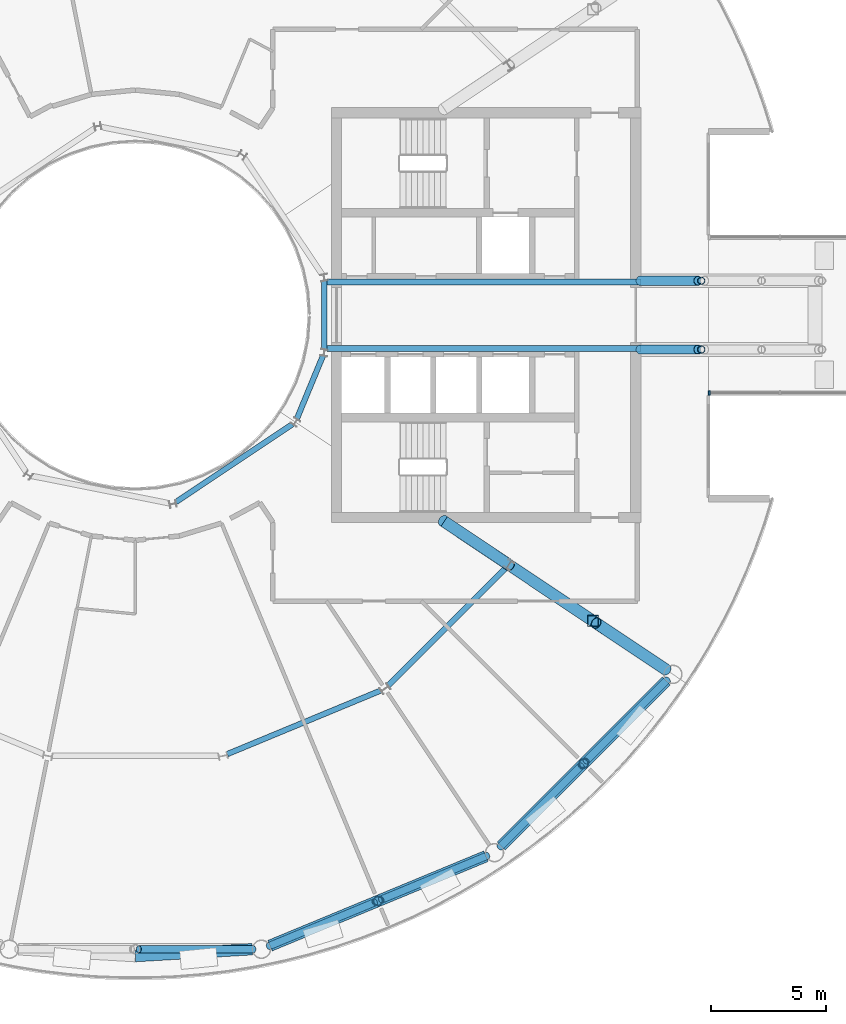
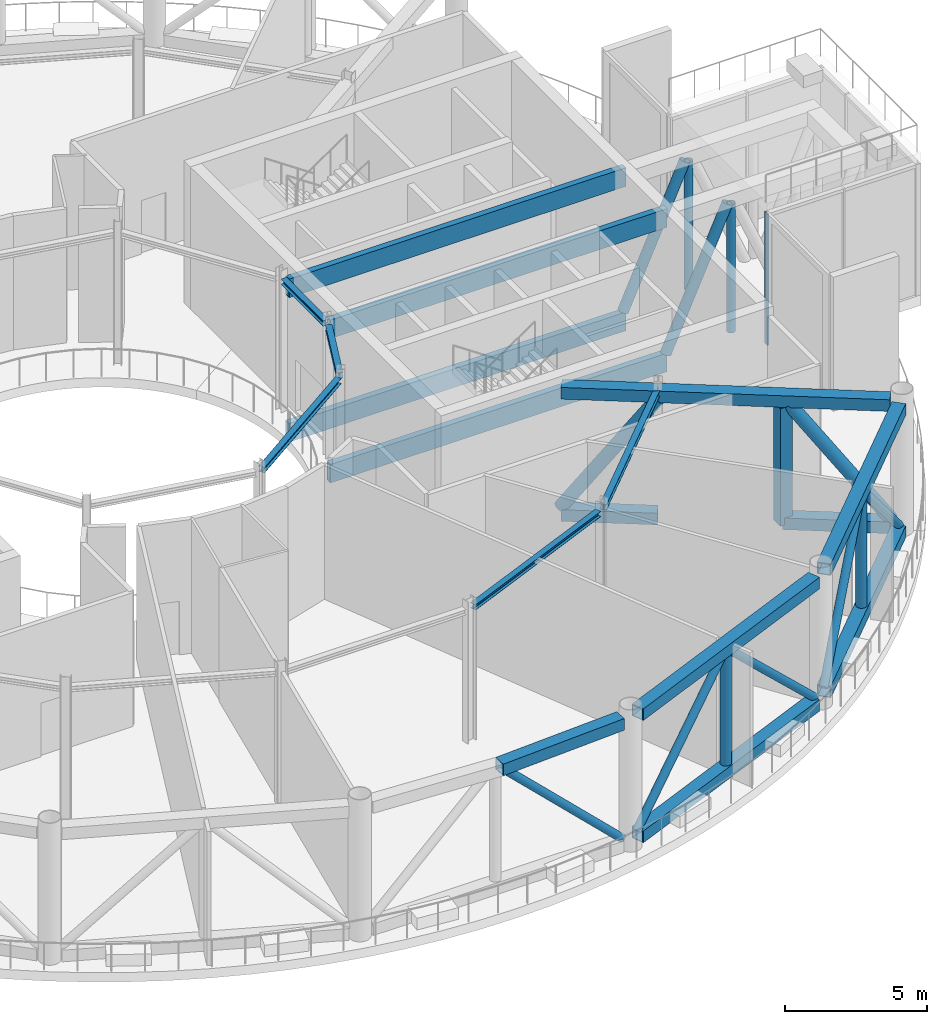
# One storey, part 7 of 24: 18 beams, 15 members, 1 element without a shape of its own.
"""IFC4 building model written with IfcOpenShell, lengths in metres."""

from ifc_helpers import new_model, si_unit, direction, frame, origin, origin_2d, place, context, subcontext, project, spatial, rectangle, hollow_rectangle, hollow_circle, i_section, extrude, material, layer, layer_set, material_profile, profile_set, type_object, element, aggregate, save


model = new_model("IFC4")

# Units and contexts
model_context = context("Model", 3, precision=1e-05, world=origin(), true_north=direction((0.0, 1.0)))
body_context = subcontext(model_context, "Body", "Model", "MODEL_VIEW")
ifc_project = project(units=[si_unit("LENGTHUNIT", "METRE"), si_unit("AREAUNIT", "SQUARE_METRE"), si_unit("VOLUMEUNIT", "CUBIC_METRE"), si_unit("PLANEANGLEUNIT", "RADIAN"), si_unit("MASSUNIT", "GRAM", prefix="KILO")], contexts=[model_context])

# Site, building, storey
site_placement = place(None, origin())
site = spatial("IfcSite", under=ifc_project, at=site_placement, CompositionType="ELEMENT")
building_placement = place(site_placement, origin())
building = spatial("IfcBuilding", under=site, at=building_placement, Name="Maasbend Ring Residences", CompositionType="ELEMENT")
storey_placement = place(building_placement, frame((0.0, 0.0, 221.85009765625)))
storey = spatial("IfcBuildingStorey", under=building, at=storey_placement, Name="L64", CompositionType="ELEMENT", Elevation=221.85009765625)

# Beams
ifc_material_1 = material(Name="Steel S460M", Category="steel")
ifc_material_profile_1 = material_profile(ifc_material_1, hollow_rectangle(XDim=0.5, YDim=0.5, WallThickness=0.030029296875, at=origin_2d()), Name="Belt truss chord BX 500x500x30")
ifc_profile_set_1 = profile_set([ifc_material_profile_1], Name="Steel S460M")
beam_type_1 = type_object("IfcBeamType", Name="Belt truss chord BX 500x500x30", PredefinedType="BEAM", material=ifc_profile_set_1)
beam_1_placement = place(storey_placement, frame((0.0, -27.9580078125, 5.5), z_axis=(0.998273218339, 0.058741650875, 0.0), x_axis=(-0.058741650875, 0.998273218339, 0.0)))
element("IfcBeam", 1, at=beam_1_placement, inside=storey, type_object=beam_type_1, Name="Belt truss", PredefinedType="BEAM", context=body_context, shape_type="SweptSolid", body=[
    extrude(hollow_rectangle(XDim=0.5, YDim=0.5, WallThickness=0.030029296875, at=origin_2d()), origin(), (0.0, 0.0, 1.0), 5.103759765625),
])
for number, where, z_axis, x_axis, name in (
    (2, (5.877197265625, -27.50244140625, 0.25), (0.923883676188, 0.382673428492, 0.0), (-0.382673428492, 0.923883676188, 0.0), "Belt truss"),
    (3, (5.877197265625, -27.50244140625, 5.5), (0.923883676188, 0.382673428492, 0.0), (-0.382673428492, 0.923883676188, 0.0), "Belt truss"),
    (4, (15.95458984375, -23.159912109375, 0.25), (0.707106781187, 0.707106781187, 0.0), (-0.707106781187, 0.707106781187, 0.0), "Belt truss"),
    (5, (15.95458984375, -23.159912109375, 5.5), (0.707106781187, 0.707106781187, 0.0), (-0.707106781187, 0.707106781187, 0.0), "Belt truss"),
):
    element("IfcBeam", number, at=place(storey_placement, frame(where, z_axis=z_axis, x_axis=x_axis)), inside=storey, type_object=beam_type_1, Name=name, PredefinedType="BEAM", context=body_context, shape_type="SweptSolid", body=[
        extrude(hollow_rectangle(XDim=0.5, YDim=0.5, WallThickness=0.030029296875, at=origin_2d()), origin(), (0.0, 0.0, 1.0), 10.18994140625),
    ])

# Members
ifc_material_2 = material(Name="Steel S460NH", Category="steel")
ifc_material_profile_2 = material_profile(ifc_material_2, hollow_circle(Radius=0.161865234375, WallThickness=0.012451171875, at=origin_2d()), Name="Belt truss diagonal CHS 323.9x12.5")
ifc_profile_set_2 = profile_set([ifc_material_profile_2], Name="Steel S460NH")
member_type_1 = type_object("IfcMemberType", Name="Belt truss diagonal CHS 323.9x12.5", PredefinedType="BRACE", material=ifc_profile_set_2)
for number, where, z_axis, x_axis, name in (
    (6, (0.151611328125, -27.658203125, 5.2998046875), (0.7174451099, 0.0, -0.696615040235), (0.0, 1.0, 0.0), "Belt truss diagonal"),
    (7, (5.82958984375, -27.522216796875, 0.449951171875), (0.662822090686, 0.274548126976, 0.696627735647), (-0.38268132365, 0.923880405967, 0.0), "Belt truss diagonal"),
    (8, (10.724609375, -25.49462890625, 5.2998046875), (0.662822090686, 0.274548126976, -0.696627735647), (-0.38268132365, 0.923880405967, 0.0), "Belt truss diagonal"),
    (9, (15.918212890625, -23.1962890625, 0.449951171875), (0.50729843003, 0.50729843003, 0.69663233185), (-0.707106781187, 0.707106781187, 0.0), "Belt truss diagonal"),
    (10, (19.66455078125, -19.449951171875, 5.2998046875), (0.50729843003, 0.50729843003, -0.69663233185), (-0.707106781187, 0.707106781187, 0.0), "Belt truss diagonal"),
):
    element("IfcMember", number, at=place(storey_placement, frame(where, z_axis=z_axis, x_axis=x_axis)), inside=storey, type_object=member_type_1, Name=name, PredefinedType="BRACE", context=body_context, shape_type="SweptSolid", body=[
        extrude(hollow_circle(Radius=0.161865234375, WallThickness=0.012451171875, at=origin_2d()), origin(), (0.0, 0.0, 1.0), 6.9619140625),
    ])
ifc_material_3 = material(Name="Steel S460NH", Category="steel")
ifc_material_profile_3 = material_profile(ifc_material_3, hollow_circle(Radius=0.203125, WallThickness=0.01611328125, at=origin_2d()), Name="Belt truss post CHS 406.4x16")
ifc_profile_set_3 = profile_set([ifc_material_profile_3], Name="Steel S460NH")
member_type_2 = type_object("IfcMemberType", Name="Belt truss post CHS 406.4x16", PredefinedType="POST", material=ifc_profile_set_3)
for number, where, z_axis, x_axis, name in (
    (11, (10.584228515625, -25.552734375, 0.5), (0.0, 0.0, 1.0), (1.0, 0.0, 0.0), "Belt truss post"),
    (12, (19.55712890625, -19.55712890625, 0.5), (0.0, 0.0, 1.0), (1.0, 0.0, 0.0), "Belt truss post"),
):
    element("IfcMember", number, at=place(storey_placement, frame(where, z_axis=z_axis, x_axis=x_axis)), inside=storey, type_object=member_type_2, Name=name, PredefinedType="POST", context=body_context, shape_type="SweptSolid", body=[
        extrude(hollow_circle(Radius=0.203125, WallThickness=0.01611328125, at=origin_2d()), origin(), (0.0, 0.0, 1.0), 4.75),
    ])

# Curtain wall, member
ifc_material_4 = material(Name="Aluminium and clear glass", Category="aluminium")
ifc_layer = layer(ifc_material_4, 0.199951171875)
ifc_layer_set = layer_set([ifc_layer], Name="CW-GR")
curtain_wall_type = type_object("IfcCurtainWallType", Name="CW-GR", PredefinedType="NOTDEFINED", material=ifc_layer_set)
curtain_wall_placement = place(storey_placement, origin())
curtain_wall = element("IfcCurtainWall", 13, at=curtain_wall_placement, inside=storey, type_object=curtain_wall_type, Name="Glass lounge curtain wall south", PredefinedType="NOTDEFINED")
ifc_material_5 = material(Name="Aluminium 6063-T6", Category="aluminium")
ifc_material_profile_4 = material_profile(ifc_material_5, rectangle(XDim=0.199951171875, YDim=0.070068359375, at=origin_2d()), Name="AL 200x70")
ifc_profile_set_4 = profile_set([ifc_material_profile_4], Name="Aluminium 6063-T6")
member_type_3 = type_object("IfcMemberType", Name="CWM-GR", PredefinedType="MULLION", material=ifc_profile_set_4)
member_1_placement = place(storey_placement, frame((25.034912109375, -3.39990234375, 0.0), z_axis=(0.0, 0.0, 1.0), x_axis=(0.0, 1.0, 0.0)))
member_1 = element("IfcMember", 14, at=member_1_placement, type_object=member_type_3, Name="Mullion glass room", PredefinedType="MULLION", context=body_context, shape_type="SweptSolid", body=[
    extrude(rectangle(XDim=0.199951171875, YDim=0.070068359375, at=origin_2d()), origin(), (0.0, 0.0, 1.0), 5.64990234375),
])
aggregate(curtain_wall, [member_1])

# Beams
ifc_material_6 = material(Name="Steel S355J2", Category="steel")
ifc_material_profile_5 = material_profile(ifc_material_6, i_section(OverallWidth=0.239990234375, OverallDepth=0.22998046875, WebThickness=0.007568359375, FlangeThickness=0.011962890625, FilletRadius=0.02099609375, at=origin_2d()), Name="HEA 240")
ifc_profile_set_5 = profile_set([ifc_material_profile_5], Name="Steel S355J2")
beam_type_2 = type_object("IfcBeamType", Name="Corridor ring beam HEA 240", PredefinedType="BEAM", material=ifc_profile_set_5)
beam_2_placement = place(storey_placement, frame((4.01220703125, -19.1455078125, 5.635009765625), z_axis=(0.923865162022, 0.382718123952, 0.0), x_axis=(-0.382718123952, 0.923865162022, 0.0)))
element("IfcBeam", 15, at=beam_2_placement, inside=storey, type_object=beam_type_2, Name="Corridor ring beam", PredefinedType="BEAM", context=body_context, shape_type="SweptSolid", body=[
    extrude(i_section(OverallWidth=0.239990234375, OverallDepth=0.22998046875, WebThickness=0.007568359375, FlangeThickness=0.011962890625, FilletRadius=0.02099609375, at=origin_2d()), origin(), (0.0, 0.0, 1.0), 7.23974609375),
])
beam_3_placement = place(storey_placement, frame((11.033447265625, -16.152587890625, 5.635009765625), z_axis=(0.707106781187, 0.707106781187, 0.0), x_axis=(-0.707106781187, 0.707106781187, 0.0)))
element("IfcBeam", 16, at=beam_3_placement, inside=storey, type_object=beam_type_2, Name="Corridor ring beam", PredefinedType="BEAM", context=body_context, shape_type="SweptSolid", body=[
    extrude(i_section(OverallWidth=0.239990234375, OverallDepth=0.22998046875, WebThickness=0.007568359375, FlangeThickness=0.011962890625, FilletRadius=0.02099609375, at=origin_2d()), origin(), (0.0, 0.0, 1.0), 7.239501953125),
])
ifc_material_7 = material(Name="Steel S460M", Category="steel")
ifc_material_profile_6 = material_profile(ifc_material_7, hollow_rectangle(XDim=0.25, YDim=0.800048828125, WallThickness=0.02490234375, at=origin_2d()), Name="Glass room back-span beam BX 800x250x25")
ifc_profile_set_6 = profile_set([ifc_material_profile_6], Name="Steel S460M")
beam_type_3 = type_object("IfcBeamType", Name="Glass room back-span beam BX 800x250x25", PredefinedType="BEAM", material=ifc_profile_set_6)
for number, where, z_axis, x_axis, name in (
    (17, (22.050048828125, -1.449951171875, -0.85009765625), (-1.0, 0.0, 0.0), (0.0, -1.0, 0.0), "Glass room lower back-span beam E"),
    (18, (22.050048828125, -1.449951171875, 5.349853515625), (-1.0, 0.0, 0.0), (0.0, -1.0, 0.0), "Glass room back-span beam E"),
    (19, (22.050048828125, 1.449951171875, -0.85009765625), (-1.0, 0.0, 0.0), (0.0, -1.0, 0.0), "Glass room lower back-span beam E"),
    (20, (22.050048828125, 1.449951171875, 5.349853515625), (-1.0, 0.0, 0.0), (0.0, -1.0, 0.0), "Glass room back-span beam E"),
):
    element("IfcBeam", number, at=place(storey_placement, frame(where, z_axis=z_axis, x_axis=x_axis)), inside=storey, type_object=beam_type_3, Name=name, PredefinedType="BEAM", context=body_context, shape_type="SweptSolid", body=[
        extrude(hollow_rectangle(XDim=0.25, YDim=0.800048828125, WallThickness=0.02490234375, at=origin_2d()), origin(), (0.0, 0.0, 1.0), 13.680908203125),
    ])

# Members
ifc_material_8 = material(Name="Steel S460NH", Category="steel")
ifc_material_profile_7 = material_profile(ifc_material_8, hollow_circle(Radius=0.203125, WallThickness=0.01611328125, at=origin_2d()), Name="Glass room truss diagonal CHS 406.4x16")
ifc_profile_set_7 = profile_set([ifc_material_profile_7], Name="Steel S460NH")
member_type_4 = type_object("IfcMemberType", Name="Glass room truss diagonal CHS 406.4x16", PredefinedType="BRACE", material=ifc_profile_set_7)
for number, where, z_axis, x_axis, name in (
    (21, (22.027587890625, -1.5, -0.5), (0.409880137983, 0.0, 0.912139393123), (0.0, 1.0, 0.0), "Glass room truss E diagonal"),
    (22, (22.027587890625, 1.5, -0.5), (0.409880137983, 0.0, 0.912139393123), (0.0, 1.0, 0.0), "Glass room truss E diagonal"),
):
    element("IfcMember", number, at=place(storey_placement, frame(where, z_axis=z_axis, x_axis=x_axis)), inside=storey, type_object=member_type_4, Name=name, PredefinedType="BRACE", context=body_context, shape_type="SweptSolid", body=[
        extrude(hollow_circle(Radius=0.203125, WallThickness=0.01611328125, at=origin_2d()), origin(), (0.0, 0.0, 1.0), 6.13916015625),
    ])
ifc_material_9 = material(Name="Steel S460NH", Category="steel")
ifc_material_profile_8 = material_profile(ifc_material_9, hollow_circle(Radius=0.161865234375, WallThickness=0.012451171875, at=origin_2d()), Name="Glass room truss post CHS 323.9x12.5")
ifc_profile_set_8 = profile_set([ifc_material_profile_8], Name="Steel S460NH")
member_type_5 = type_object("IfcMemberType", Name="Glass room truss post CHS 323.9x12.5", PredefinedType="POST", material=ifc_profile_set_8)
for number, where, z_axis, x_axis, name in (
    (23, (24.683349609375, -1.5, -0.4501953125), (0.0, 0.0, 1.0), (1.0, 0.0, 0.0), "Glass room truss E post"),
    (24, (24.683349609375, 1.5, -0.4501953125), (0.0, 0.0, 1.0), (1.0, 0.0, 0.0), "Glass room truss E post"),
):
    element("IfcMember", number, at=place(storey_placement, frame(where, z_axis=z_axis, x_axis=x_axis)), inside=storey, type_object=member_type_5, Name=name, PredefinedType="POST", context=body_context, shape_type="SweptSolid", body=[
        extrude(hollow_circle(Radius=0.161865234375, WallThickness=0.012451171875, at=origin_2d()), origin(), (0.0, 0.0, 1.0), 5.5),
    ])

# Beams
ifc_material_10 = material(Name="Steel S460M", Category="steel")
ifc_material_profile_9 = material_profile(ifc_material_10, hollow_rectangle(XDim=0.5, YDim=0.5, WallThickness=0.030029296875, at=origin_2d()), Name="Outrigger truss chord BX 500x500x30")
ifc_profile_set_9 = profile_set([ifc_material_profile_9], Name="Steel S460M")
beam_type_4 = type_object("IfcBeamType", Name="Outrigger truss chord BX 500x500x30", PredefinedType="BEAM", material=ifc_profile_set_9)
beam_4_placement = place(storey_placement, frame((23.109375, -15.44140625, 0.25), z_axis=(-0.831444556462, 0.555607729904, 0.0), x_axis=(-0.555607729904, -0.831444556462, 0.0)))
element("IfcBeam", 25, at=beam_4_placement, inside=storey, type_object=beam_type_4, Name="Outrigger truss", PredefinedType="BEAM", context=body_context, shape_type="SweptSolid", body=[
    extrude(hollow_rectangle(XDim=0.5, YDim=0.5, WallThickness=0.030029296875, at=origin_2d()), origin(), (0.0, 0.0, 1.0), 3.78564453125),
])
beam_5_placement = place(storey_placement, frame((23.109375, -15.44140625, 5.5), z_axis=(-0.831453297605, 0.555594648914, 0.0), x_axis=(-0.555594648914, -0.831453297605, 0.0)))
element("IfcBeam", 26, at=beam_5_placement, inside=storey, type_object=beam_type_4, Name="Outrigger truss", PredefinedType="BEAM", context=body_context, shape_type="SweptSolid", body=[
    extrude(hollow_rectangle(XDim=0.5, YDim=0.5, WallThickness=0.030029296875, at=origin_2d()), origin(), (0.0, 0.0, 1.0), 8.185546875),
])
for number, where, z_axis, x_axis, name in (
    (27, (16.2900390625, -10.884765625, 0.25), (-0.831451918965, 0.555596712058, 0.0), (-0.555596712058, -0.831451918965, 0.0), "Outrigger truss"),
    (28, (16.2900390625, -10.884765625, 5.5), (-0.831451918965, 0.555596712058, 0.0), (-0.555596712058, -0.831451918965, 0.0), "Outrigger truss"),
):
    element("IfcBeam", number, at=place(storey_placement, frame(where, z_axis=z_axis, x_axis=x_axis)), inside=storey, type_object=beam_type_4, Name=name, PredefinedType="BEAM", context=body_context, shape_type="SweptSolid", body=[
        extrude(hollow_rectangle(XDim=0.5, YDim=0.5, WallThickness=0.030029296875, at=origin_2d()), origin(), (0.0, 0.0, 1.0), 3.392333984375),
    ])

# Members
ifc_material_11 = material(Name="Steel S460NH", Category="steel")
ifc_material_profile_10 = material_profile(ifc_material_11, hollow_circle(Radius=0.25390625, WallThickness=0.02490234375, at=origin_2d()), Name="Outrigger truss diagonal CHS 508x25")
ifc_profile_set_10 = profile_set([ifc_material_profile_10], Name="Steel S460NH")
member_type_6 = type_object("IfcMemberType", Name="Outrigger truss diagonal CHS 508x25", PredefinedType="BRACE", material=ifc_profile_set_10)
member_2_placement = place(storey_placement, frame((23.140869140625, -15.462158203125, 0.449951171875), z_axis=(-0.50066184566, 0.334511402539, 0.798398295259), x_axis=(-0.555547100174, -0.83148506871, 0.0)))
element("IfcMember", 29, at=member_2_placement, inside=storey, type_object=member_type_6, Name="Outrigger truss diagonal", PredefinedType="BRACE", context=body_context, shape_type="SweptSolid", body=[
    extrude(hollow_circle(Radius=0.25390625, WallThickness=0.02490234375, at=origin_2d()), origin(), (0.0, 0.0, 1.0), 6.074462890625),
])
member_3_placement = place(storey_placement, frame((16.31982421875, -10.904541015625, 5.2998046875), z_axis=(-0.483259075881, 0.322882769865, -0.813761256453), x_axis=(-0.555545703654, -0.831486001777, 0.0)))
element("IfcMember", 30, at=member_3_placement, inside=storey, type_object=member_type_6, Name="Outrigger truss diagonal", PredefinedType="BRACE", context=body_context, shape_type="SweptSolid", body=[
    extrude(hollow_circle(Radius=0.25390625, WallThickness=0.02490234375, at=origin_2d()), origin(), (0.0, 0.0, 1.0), 5.959716796875),
])
ifc_material_12 = material(Name="Steel S460M", Category="steel")
ifc_material_profile_11 = material_profile(ifc_material_12, hollow_rectangle(XDim=0.5, YDim=0.5, WallThickness=0.030029296875, at=origin_2d()), Name="Outrigger truss post BX 500x500x30")
ifc_profile_set_11 = profile_set([ifc_material_profile_11], Name="Steel S460M")
member_type_7 = type_object("IfcMemberType", Name="Outrigger truss post BX 500x500x30", PredefinedType="POST", material=ifc_profile_set_11)
member_4_placement = place(storey_placement, frame((19.9619140625, -13.338134765625, 0.199951171875), z_axis=(0.0, 0.0, 1.0), x_axis=(1.0, 0.0, 0.0)))
element("IfcMember", 31, at=member_4_placement, inside=storey, type_object=member_type_7, Name="Outrigger truss post", PredefinedType="POST", context=body_context, shape_type="SweptSolid", body=[
    extrude(hollow_rectangle(XDim=0.5, YDim=0.5, WallThickness=0.030029296875, at=origin_2d()), origin(), (0.0, 0.0, 1.0), 5.050048828125),
])

# Beams
ifc_material_13 = material(Name="Steel S355J2", Category="steel")
ifc_material_profile_12 = material_profile(ifc_material_13, i_section(OverallWidth=0.239990234375, OverallDepth=0.22998046875, WebThickness=0.007568359375, FlangeThickness=0.011962890625, FilletRadius=0.02099609375, at=origin_2d()), Name="HEA 240")
ifc_profile_set_12 = profile_set([ifc_material_profile_12], Name="Steel S355J2")
beam_type_5 = type_object("IfcBeamType", Name="Well edge beam HEA 240", PredefinedType="BEAM", material=ifc_profile_set_12)
beam_6_placement = place(storey_placement, frame((1.769287109375, -8.1513671875, 5.635009765625), z_axis=(0.831460175376, 0.555584356119, 0.0), x_axis=(-0.555584356119, 0.831460175376, 0.0)))
element("IfcBeam", 32, at=beam_6_placement, inside=storey, type_object=beam_type_5, Name="Well edge beam", PredefinedType="BEAM", context=body_context, shape_type="SweptSolid", body=[
    extrude(i_section(OverallWidth=0.239990234375, OverallDepth=0.22998046875, WebThickness=0.007568359375, FlangeThickness=0.011962890625, FilletRadius=0.02099609375, at=origin_2d()), origin(), (0.0, 0.0, 1.0), 6.115234375),
])
beam_7_placement = place(storey_placement, frame((7.041015625, -4.5302734375, 5.635009765625), z_axis=(0.382614534057, 0.923908068115, 0.0), x_axis=(-0.923908068115, 0.382614534057, 0.0)))
element("IfcBeam", 33, at=beam_7_placement, inside=storey, type_object=beam_type_5, Name="Well edge beam", PredefinedType="BEAM", context=body_context, shape_type="SweptSolid", body=[
    extrude(i_section(OverallWidth=0.239990234375, OverallDepth=0.22998046875, WebThickness=0.007568359375, FlangeThickness=0.011962890625, FilletRadius=0.02099609375, at=origin_2d()), origin(), (0.0, 0.0, 1.0), 2.981689453125),
])
beam_8_placement = place(storey_placement, frame((8.238525390625, -1.490966796875, 5.635009765625), z_axis=(0.0, 1.0, 0.0), x_axis=(-1.0, 0.0, 0.0)))
element("IfcBeam", 34, at=beam_8_placement, inside=storey, type_object=beam_type_5, Name="Well edge beam", PredefinedType="BEAM", context=body_context, shape_type="SweptSolid", body=[
    extrude(i_section(OverallWidth=0.239990234375, OverallDepth=0.22998046875, WebThickness=0.007568359375, FlangeThickness=0.011962890625, FilletRadius=0.02099609375, at=origin_2d()), origin(), (0.0, 0.0, 1.0), 2.98193359375),
])

save(model, "model.ifc")
